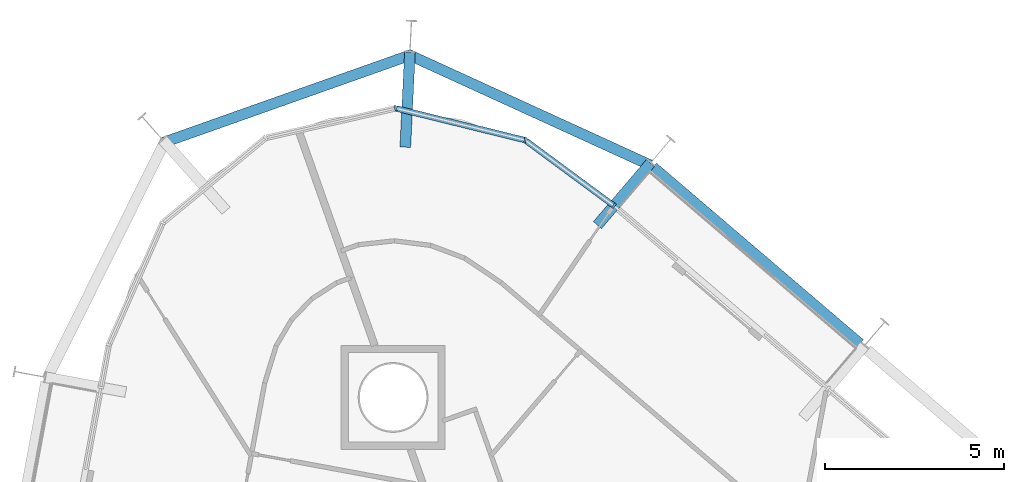
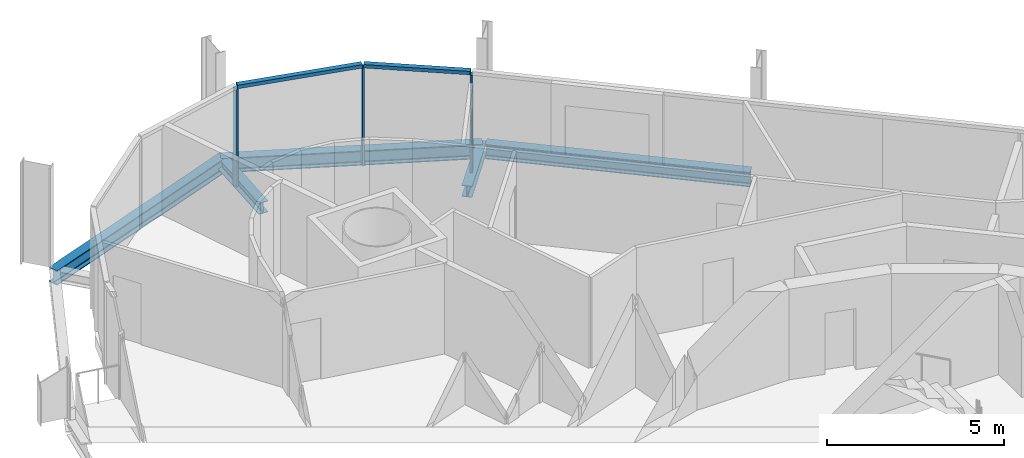
# One storey, part 7 of 17: 5 beams, 5 members, 1 element without a shape of its own.
"""IFC4 building model written with IfcOpenShell, lengths in metres."""

from ifc_helpers import new_model, si_unit, direction, frame, origin, origin_2d, place, context, subcontext, project, spatial, rectangle, i_section, extrude, material, layer, layer_set, material_profile, profile_set, type_object, element, aggregate, save


model = new_model("IFC4")

# Units and contexts
model_context = context("Model", 3, precision=1e-05, world=origin(), true_north=direction((0.0, 1.0)))
body_context = subcontext(model_context, "Body", "Model", "MODEL_VIEW")
ifc_project = project(units=[si_unit("LENGTHUNIT", "METRE"), si_unit("AREAUNIT", "SQUARE_METRE"), si_unit("VOLUMEUNIT", "CUBIC_METRE"), si_unit("PLANEANGLEUNIT", "RADIAN"), si_unit("MASSUNIT", "GRAM", prefix="KILO")], contexts=[model_context])

# Site, building, storey
site_placement = place(None, origin())
site = spatial("IfcSite", under=ifc_project, at=site_placement, CompositionType="ELEMENT")
building_placement = place(site_placement, origin())
building = spatial("IfcBuilding", under=site, at=building_placement, Name="Spindle Arch Residences", CompositionType="ELEMENT")
storey_placement = place(building_placement, frame((0.0, 0.0, 158.699951171875)))
storey = spatial("IfcBuildingStorey", under=building, at=storey_placement, Name="L39", CompositionType="ELEMENT", Elevation=158.699951171875)

# Curtain wall, members
ifc_material_1 = material(Name="Aluminium bronze unitised frame with tinted glass", Category="aluminium")
ifc_layer = layer(ifc_material_1, 0.159912109375)
ifc_layer_set = layer_set([ifc_layer], Name="CW-D corner wall on the fillet arcs")
curtain_wall_type = type_object("IfcCurtainWallType", Name="CW-D corner wall on the fillet arcs", PredefinedType="NOTDEFINED", material=ifc_layer_set)
curtain_wall_placement = place(storey_placement, origin())
curtain_wall = element("IfcCurtainWall", 1, at=curtain_wall_placement, inside=storey, type_object=curtain_wall_type, Name="CW-D L39 run 3", PredefinedType="NOTDEFINED")
ifc_material_2 = material(Name="Aluminium bronze anodised mullion", Category="aluminium")
ifc_material_profile_1 = material_profile(ifc_material_2, rectangle(XDim=0.159912109375, YDim=0.06005859375, at=origin_2d()), Name="MU 60x160")
ifc_profile_set_1 = profile_set([ifc_material_profile_1], Name="Aluminium bronze anodised mullion")
member_type_1 = type_object("IfcMemberType", Name="Bronze mullion 60x160", PredefinedType="MULLION", material=ifc_profile_set_1)
member_1_placement = place(storey_placement, frame((-0.86181640625, 25.213623046875, -0.3798828125), z_axis=(0.0, 0.0, 1.0), x_axis=(-0.594134492109, -0.804365716131, 0.0)))
member_1 = element("IfcMember", 2, at=member_1_placement, type_object=member_type_1, Name="CW-D mullion 00", PredefinedType="MULLION", context=body_context, shape_type="SweptSolid", body=[
    extrude(rectangle(XDim=0.159912109375, YDim=0.06005859375, at=origin_2d()), origin(), (0.0, 0.0, 1.0), 3.3798828125),
])
member_2_placement = place(storey_placement, frame((-3.3427734375, 27.046142578125, -0.3798828125), z_axis=(0.0, 0.0, 1.0), x_axis=(-0.239098401721, -0.970995342056, 0.0)))
member_2 = element("IfcMember", 3, at=member_2_placement, type_object=member_type_1, Name="CW-D mullion 01", PredefinedType="MULLION", context=body_context, shape_type="SweptSolid", body=[
    extrude(rectangle(XDim=0.159912109375, YDim=0.06005859375, at=origin_2d()), origin(), (0.0, 0.0, 1.0), 3.3798828125),
])
member_3_placement = place(storey_placement, frame((-6.96142578125, 27.937255859375, -0.3798828125), z_axis=(0.0, 0.0, 1.0), x_axis=(0.222115779633, -0.975020297449, 0.0)))
member_3 = element("IfcMember", 4, at=member_3_placement, type_object=member_type_1, Name="CW-D mullion 02", PredefinedType="MULLION", context=body_context, shape_type="SweptSolid", body=[
    extrude(rectangle(XDim=0.159912109375, YDim=0.06005859375, at=origin_2d()), origin(), (0.0, 0.0, 1.0), 3.3798828125),
])
ifc_material_3 = material(Name="Aluminium bronze anodised transom", Category="aluminium")
ifc_material_profile_2 = material_profile(ifc_material_3, rectangle(XDim=0.159912109375, YDim=0.1201171875, at=origin_2d()), Name="TR 120x160")
ifc_profile_set_2 = profile_set([ifc_material_profile_2], Name="Aluminium bronze anodised transom")
member_type_2 = type_object("IfcMemberType", Name="Bronze transom 120x160", PredefinedType="USERDEFINED", material=ifc_profile_set_2)
member_4_placement = place(storey_placement, frame((-0.8857421875, 25.2314453125, 3.06005859375), z_axis=(-0.804385788662, 0.594107316062, 0.0), x_axis=(-0.594107316062, -0.804385788662, 0.0)))
member_4 = element("IfcMember", 5, at=member_4_placement, type_object=member_type_2, Name="CW-D transom 00", ObjectType="TRANSOM", PredefinedType="USERDEFINED", context=body_context, shape_type="SweptSolid", body=[
    extrude(rectangle(XDim=0.159912109375, YDim=0.1201171875, at=origin_2d()), origin(), (0.0, 0.0, 1.0), 3.0244140625),
])
member_5_placement = place(storey_placement, frame((-3.371826171875, 27.053466796875, 3.06005859375), z_axis=(-0.970997997578, 0.239087617204, 0.0), x_axis=(-0.239087617204, -0.970997997578, 0.0)))
member_5 = element("IfcMember", 6, at=member_5_placement, type_object=member_type_2, Name="CW-D transom 01", ObjectType="TRANSOM", PredefinedType="USERDEFINED", context=body_context, shape_type="SweptSolid", body=[
    extrude(rectangle(XDim=0.159912109375, YDim=0.1201171875, at=origin_2d()), origin(), (0.0, 0.0, 1.0), 3.6669921875),
])
aggregate(curtain_wall, [member_1, member_4, member_2, member_5, member_3])

# Beams
ifc_material_4 = material(Name="Steel S460ML, intumescent coating R 120", Category="steel")
ifc_material_profile_3 = material_profile(ifc_material_4, i_section(OverallWidth=0.300048828125, OverallDepth=0.5, WebThickness=0.014404296875, FlangeThickness=0.028076171875, FilletRadius=0.027099609375, at=origin_2d()), Name="HEB 500")
ifc_profile_set_3 = profile_set([ifc_material_profile_3], Name="Steel S460ML, intumescent coating R 120")
beam_type_1 = type_object("IfcBeamType", Name="Exoskeleton edge beam HEB 500", PredefinedType="BEAM", material=ifc_profile_set_3)
beam_1_placement = place(storey_placement, frame((6.010009765625, 21.356689453125, -0.6298828125), z_axis=(-0.760418624565, 0.649433226294, 0.0), x_axis=(-0.649433226294, -0.760418624565, 0.0)))
element("IfcBeam", 7, at=beam_1_placement, inside=storey, type_object=beam_type_1, Name="Exoskeleton edge beam 9", PredefinedType="BEAM", context=body_context, shape_type="SweptSolid", body=[
    extrude(i_section(OverallWidth=0.300048828125, OverallDepth=0.5, WebThickness=0.014404296875, FlangeThickness=0.028076171875, FilletRadius=0.027099609375, at=origin_2d()), origin(), (0.0, 0.0, 1.0), 7.60009765625),
])
beam_2_placement = place(storey_placement, frame((0.151123046875, 26.34814453125, -0.6298828125), z_axis=(-0.909437531454, 0.415840566062, 0.0), x_axis=(-0.415840566062, -0.909437531454, 0.0)))
element("IfcBeam", 8, at=beam_2_placement, inside=storey, type_object=beam_type_1, Name="Exoskeleton edge beam 10", PredefinedType="BEAM", context=body_context, shape_type="SweptSolid", body=[
    extrude(i_section(OverallWidth=0.300048828125, OverallDepth=0.5, WebThickness=0.014404296875, FlangeThickness=0.028076171875, FilletRadius=0.027099609375, at=origin_2d()), origin(), (0.0, 0.0, 1.0), 7.42578125),
])
beam_3_placement = place(storey_placement, frame((-6.49853515625, 29.440185546875, -0.6298828125), z_axis=(-0.942642791069, -0.333803188189, 0.0), x_axis=(0.333803188189, -0.942642791069, 0.0)))
element("IfcBeam", 9, at=beam_3_placement, inside=storey, type_object=beam_type_1, Name="Exoskeleton edge beam 11", PredefinedType="BEAM", context=body_context, shape_type="SweptSolid", body=[
    extrude(i_section(OverallWidth=0.300048828125, OverallDepth=0.5, WebThickness=0.014404296875, FlangeThickness=0.028076171875, FilletRadius=0.027099609375, at=origin_2d()), origin(), (0.0, 0.0, 1.0), 7.403076171875),
])
ifc_material_5 = material(Name="Steel S460ML, intumescent coating R 120", Category="steel")
ifc_material_profile_4 = material_profile(ifc_material_5, i_section(OverallWidth=0.300048828125, OverallDepth=0.389892578125, WebThickness=0.010986328125, FlangeThickness=0.01904296875, FilletRadius=0.027099609375, at=origin_2d()), Name="HEA 400")
ifc_profile_set_4 = profile_set([ifc_material_profile_4], Name="Steel S460ML, intumescent coating R 120")
beam_type_2 = type_object("IfcBeamType", Name="Floor outrigger HEA 400", PredefinedType="BEAM", material=ifc_profile_set_4)
beam_4_placement = place(storey_placement, frame((0.157958984375, 26.407470703125, -0.574951171875), z_axis=(-0.649440691167, -0.76041224915, 0.0), x_axis=(0.76041224915, -0.649440691167, 0.0)))
element("IfcBeam", 10, at=beam_4_placement, inside=storey, type_object=beam_type_2, Name="Floor outrigger 10", PredefinedType="BEAM", context=body_context, shape_type="SweptSolid", body=[
    extrude(i_section(OverallWidth=0.300048828125, OverallDepth=0.389892578125, WebThickness=0.010986328125, FlangeThickness=0.01904296875, FilletRadius=0.027099609375, at=origin_2d()), origin(), (0.0, 0.0, 1.0), 2.279296875),
])
beam_5_placement = place(storey_placement, frame((-6.561279296875, 29.49609375, -0.574951171875), z_axis=(-0.048830159672, -0.998807096243, 0.0), x_axis=(0.998807096243, -0.048830159672, 0.0)))
element("IfcBeam", 11, at=beam_5_placement, inside=storey, type_object=beam_type_2, Name="Floor outrigger 11", PredefinedType="BEAM", context=body_context, shape_type="SweptSolid", body=[
    extrude(i_section(OverallWidth=0.300048828125, OverallDepth=0.389892578125, WebThickness=0.010986328125, FlangeThickness=0.01904296875, FilletRadius=0.027099609375, at=origin_2d()), origin(), (0.0, 0.0, 1.0), 2.64990234375),
])

save(model, "model.ifc")
